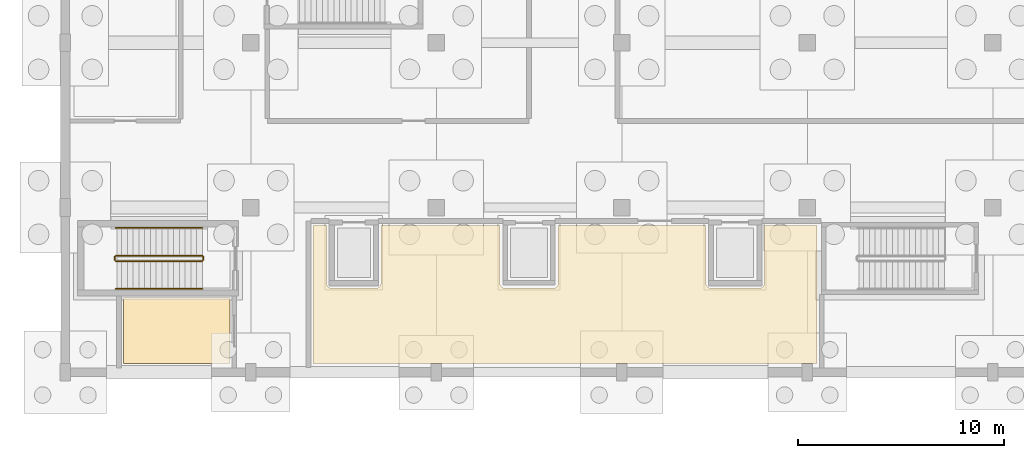
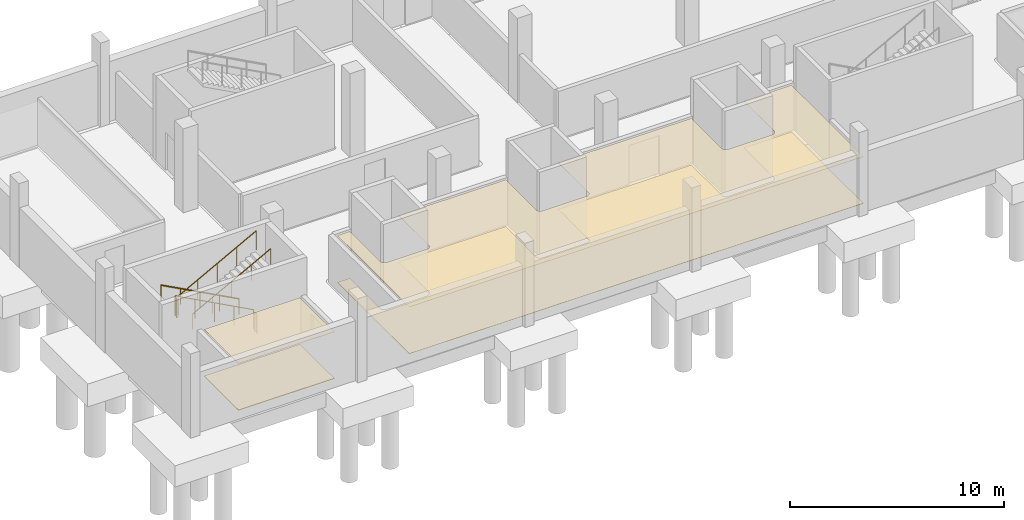
# One storey, part 6 of 10: 6 railings, 4 coverings.
"""IFC4 building model written with IfcOpenShell, lengths in metres."""

from ifc_helpers import new_model, si_unit, direction, frame, origin, origin_2d, place, context, subcontext, project, spatial, polyline, circle, outline, extrude, material, layer, layer_set, type_object, element, save


model = new_model("IFC4")

# Units and contexts
model_context = context("Model", 3, precision=1e-05, world=origin(), true_north=direction((0.0, 1.0)))
body_context = subcontext(model_context, "Body", "Model", "MODEL_VIEW")
ifc_project = project(units=[si_unit("LENGTHUNIT", "METRE"), si_unit("AREAUNIT", "SQUARE_METRE"), si_unit("VOLUMEUNIT", "CUBIC_METRE"), si_unit("PLANEANGLEUNIT", "RADIAN"), si_unit("MASSUNIT", "GRAM", prefix="KILO")], contexts=[model_context])

# Site, building, storey
site_placement = place(None, origin())
site = spatial("IfcSite", under=ifc_project, at=site_placement, CompositionType="ELEMENT")
building_placement = place(site_placement, origin())
building = spatial("IfcBuilding", under=site, at=building_placement, Name="Serraforn Aerial Cableway Station", CompositionType="ELEMENT")
storey_placement = place(building_placement, frame((0.0, 0.0, -4.800048828125)))
storey = spatial("IfcBuildingStorey", under=building, at=storey_placement, Name="B1", CompositionType="ELEMENT", Elevation=-4.800048828125)

# Coverings
ifc_material_1 = material(Name="Fire-protective gypsum board ceiling")
ifc_layer_1 = layer(ifc_material_1, 0.02001953125)
ifc_layer_set_1 = layer_set([ifc_layer_1], Name="Fire-protective gypsum board ceiling")
covering_type_1 = type_object("IfcCoveringType", Name="COV-CLG-GYP", PredefinedType="CEILING", material=ifc_layer_set_1)
covering_1_placement = place(storey_placement, frame((0.0, 0.0, 2.66015625)))
element("IfcCovering", 1, at=covering_1_placement, inside=storey, type_object=covering_type_1, Name="Suspended Ceiling B1-06", PredefinedType="CEILING", context=body_context, shape_type="SweptSolid", body=[
    extrude(outline(polyline([(30.419921875, 18.419921875), (30.419921875, 21.6298828125), (35.580078125, 21.6298828125), (35.580078125, 18.419921875), (30.419921875, 18.419921875)])), origin(), (0.0, 0.0, 1.0), 0.019775390625),
])
covering_2_placement = place(storey_placement, frame((0.0, 0.0, 2.66015625)))
element("IfcCovering", 2, at=covering_2_placement, inside=storey, type_object=covering_type_1, Name="Suspended Ceiling B1-03", PredefinedType="CEILING", context=body_context, shape_type="SweptSolid", body=[
    extrude(outline(polyline([(39.6201171875, 18.419921875), (39.6201171875, 25.1298828125), (40.2900390625, 25.1298828125), (40.2900390625, 22.31005859375), (40.291015625, 22.288330078125), (40.294189453125, 22.26708984375), (40.299560546875, 22.24609375), (40.306640625, 22.225830078125), (40.31591796875, 22.206298828125), (40.3271484375, 22.187744140625), (40.33984375, 22.17041015625), (40.3544921875, 22.154296875), (40.370361328125, 22.139892578125), (40.3876953125, 22.127197265625), (40.40625, 22.115966796875), (40.42578125, 22.106689453125), (40.446044921875, 22.099609375), (40.467041015625, 22.09423828125), (40.48828125, 22.091064453125), (40.510009765625, 22.090087890625), (42.68994140625, 22.090087890625), (42.711669921875, 22.091064453125), (42.73291015625, 22.09423828125), (42.75390625, 22.099609375), (42.774169921875, 22.106689453125), (42.793701171875, 22.115966796875), (42.812255859375, 22.127197265625), (42.82958984375, 22.139892578125), (42.845703125, 22.154296875), (42.860107421875, 22.17041015625), (42.872802734375, 22.187744140625), (42.884033203125, 22.206298828125), (42.893310546875, 22.225830078125), (42.900390625, 22.24609375), (42.90576171875, 22.26708984375), (42.908935546875, 22.288330078125), (42.909912109375, 22.31005859375), (42.909912109375, 25.1298828125), (48.68994140625, 25.1298828125), (48.68994140625, 22.31005859375), (48.691162109375, 22.288330078125), (48.694091796875, 22.26708984375), (48.699462890625, 22.24609375), (48.706787109375, 22.225830078125), (48.716064453125, 22.206298828125), (48.72705078125, 22.187744140625), (48.739990234375, 22.17041015625), (48.75439453125, 22.154296875), (48.7705078125, 22.139892578125), (48.787841796875, 22.127197265625), (48.806396484375, 22.115966796875), (48.82568359375, 22.106689453125), (48.84619140625, 22.099609375), (48.8671875, 22.09423828125), (48.888427734375, 22.091064453125), (48.909912109375, 22.090087890625), (51.2900390625, 22.090087890625), (51.3115234375, 22.091064453125), (51.3330078125, 22.09423828125), (51.35400390625, 22.099609375), (51.374267578125, 22.106689453125), (51.393798828125, 22.115966796875), (51.412109375, 22.127197265625), (51.4296875, 22.139892578125), (51.445556640625, 22.154296875), (51.460205078125, 22.17041015625), (51.472900390625, 22.187744140625), (51.48388671875, 22.206298828125), (51.493408203125, 22.225830078125), (51.50048828125, 22.24609375), (51.505859375, 22.26708984375), (51.5087890625, 22.288330078125), (51.510009765625, 22.31005859375), (51.510009765625, 25.1298828125), (58.68994140625, 25.1298828125), (58.68994140625, 22.31005859375), (58.691162109375, 22.288330078125), (58.694091796875, 22.26708984375), (58.699462890625, 22.24609375), (58.706787109375, 22.225830078125), (58.716064453125, 22.206298828125), (58.72705078125, 22.187744140625), (58.739990234375, 22.17041015625), (58.75439453125, 22.154296875), (58.7705078125, 22.139892578125), (58.787841796875, 22.127197265625), (58.806396484375, 22.115966796875), (58.82568359375, 22.106689453125), (58.84619140625, 22.099609375), (58.8671875, 22.09423828125), (58.888427734375, 22.091064453125), (58.909912109375, 22.090087890625), (61.2900390625, 22.090087890625), (61.3115234375, 22.091064453125), (61.3330078125, 22.09423828125), (61.35400390625, 22.099609375), (61.374267578125, 22.106689453125), (61.393798828125, 22.115966796875), (61.412109375, 22.127197265625), (61.4296875, 22.139892578125), (61.445556640625, 22.154296875), (61.460205078125, 22.17041015625), (61.472900390625, 22.187744140625), (61.48388671875, 22.206298828125), (61.493408203125, 22.225830078125), (61.50048828125, 22.24609375), (61.505859375, 22.26708984375), (61.5087890625, 22.288330078125), (61.510009765625, 22.31005859375), (61.510009765625, 25.1298828125), (64.080078125, 25.1298828125), (64.080078125, 18.419921875), (39.6201171875, 18.419921875)])), origin(), (0.0, 0.0, 1.0), 0.019775390625),
])
ifc_material_2 = material(Name="Heavy-duty non-slip quartz epoxy floor")
ifc_layer_2 = layer(ifc_material_2, 0.014892578125)
ifc_layer_set_2 = layer_set([ifc_layer_2], Name="Heavy-duty non-slip quartz epoxy floor")
covering_type_2 = type_object("IfcCoveringType", Name="COV-FLR-EPOX", PredefinedType="FLOORING", material=ifc_layer_set_2)
covering_3_placement = place(storey_placement, origin())
element("IfcCovering", 3, at=covering_3_placement, inside=storey, type_object=covering_type_2, Name="Flooring B1-03", PredefinedType="FLOORING", context=body_context, shape_type="SweptSolid", body=[
    extrude(outline(polyline([(39.6201171875, 18.419921875), (39.6201171875, 25.1298828125), (40.2900390625, 25.1298828125), (40.2900390625, 22.31005859375), (40.291015625, 22.288330078125), (40.294189453125, 22.26708984375), (40.299560546875, 22.24609375), (40.306640625, 22.225830078125), (40.31591796875, 22.206298828125), (40.3271484375, 22.187744140625), (40.33984375, 22.17041015625), (40.3544921875, 22.154296875), (40.370361328125, 22.139892578125), (40.3876953125, 22.127197265625), (40.40625, 22.115966796875), (40.42578125, 22.106689453125), (40.446044921875, 22.099609375), (40.467041015625, 22.09423828125), (40.48828125, 22.091064453125), (40.510009765625, 22.090087890625), (42.68994140625, 22.090087890625), (42.711669921875, 22.091064453125), (42.73291015625, 22.09423828125), (42.75390625, 22.099609375), (42.774169921875, 22.106689453125), (42.793701171875, 22.115966796875), (42.812255859375, 22.127197265625), (42.82958984375, 22.139892578125), (42.845703125, 22.154296875), (42.860107421875, 22.17041015625), (42.872802734375, 22.187744140625), (42.884033203125, 22.206298828125), (42.893310546875, 22.225830078125), (42.900390625, 22.24609375), (42.90576171875, 22.26708984375), (42.908935546875, 22.288330078125), (42.909912109375, 22.31005859375), (42.909912109375, 25.1298828125), (48.68994140625, 25.1298828125), (48.68994140625, 22.31005859375), (48.691162109375, 22.288330078125), (48.694091796875, 22.26708984375), (48.699462890625, 22.24609375), (48.706787109375, 22.225830078125), (48.716064453125, 22.206298828125), (48.72705078125, 22.187744140625), (48.739990234375, 22.17041015625), (48.75439453125, 22.154296875), (48.7705078125, 22.139892578125), (48.787841796875, 22.127197265625), (48.806396484375, 22.115966796875), (48.82568359375, 22.106689453125), (48.84619140625, 22.099609375), (48.8671875, 22.09423828125), (48.888427734375, 22.091064453125), (48.909912109375, 22.090087890625), (51.2900390625, 22.090087890625), (51.3115234375, 22.091064453125), (51.3330078125, 22.09423828125), (51.35400390625, 22.099609375), (51.374267578125, 22.106689453125), (51.393798828125, 22.115966796875), (51.412109375, 22.127197265625), (51.4296875, 22.139892578125), (51.445556640625, 22.154296875), (51.460205078125, 22.17041015625), (51.472900390625, 22.187744140625), (51.48388671875, 22.206298828125), (51.493408203125, 22.225830078125), (51.50048828125, 22.24609375), (51.505859375, 22.26708984375), (51.5087890625, 22.288330078125), (51.510009765625, 22.31005859375), (51.510009765625, 25.1298828125), (58.68994140625, 25.1298828125), (58.68994140625, 22.31005859375), (58.691162109375, 22.288330078125), (58.694091796875, 22.26708984375), (58.699462890625, 22.24609375), (58.706787109375, 22.225830078125), (58.716064453125, 22.206298828125), (58.72705078125, 22.187744140625), (58.739990234375, 22.17041015625), (58.75439453125, 22.154296875), (58.7705078125, 22.139892578125), (58.787841796875, 22.127197265625), (58.806396484375, 22.115966796875), (58.82568359375, 22.106689453125), (58.84619140625, 22.099609375), (58.8671875, 22.09423828125), (58.888427734375, 22.091064453125), (58.909912109375, 22.090087890625), (61.2900390625, 22.090087890625), (61.3115234375, 22.091064453125), (61.3330078125, 22.09423828125), (61.35400390625, 22.099609375), (61.374267578125, 22.106689453125), (61.393798828125, 22.115966796875), (61.412109375, 22.127197265625), (61.4296875, 22.139892578125), (61.445556640625, 22.154296875), (61.460205078125, 22.17041015625), (61.472900390625, 22.187744140625), (61.48388671875, 22.206298828125), (61.493408203125, 22.225830078125), (61.50048828125, 22.24609375), (61.505859375, 22.26708984375), (61.5087890625, 22.288330078125), (61.510009765625, 22.31005859375), (61.510009765625, 25.1298828125), (64.080078125, 25.1298828125), (64.080078125, 18.419921875), (39.6201171875, 18.419921875)])), origin(), (0.0, 0.0, 1.0), 0.01513671875),
])
ifc_material_3 = material(Name="Honed Montjuic limestone flooring", Category="masonry")
ifc_layer_3 = layer(ifc_material_3, 0.030029296875)
ifc_layer_set_3 = layer_set([ifc_layer_3], Name="Honed Montjuic limestone flooring")
covering_type_3 = type_object("IfcCoveringType", Name="COV-FLR-STN", PredefinedType="FLOORING", material=ifc_layer_set_3)
covering_4_placement = place(storey_placement, origin())
element("IfcCovering", 4, at=covering_4_placement, inside=storey, type_object=covering_type_3, Name="Flooring B1-06", PredefinedType="FLOORING", context=body_context, shape_type="SweptSolid", body=[
    extrude(outline(polyline([(30.419921875, 18.419921875), (30.419921875, 21.6298828125), (35.580078125, 21.6298828125), (35.580078125, 18.419921875), (30.419921875, 18.419921875)])), origin(), (0.0, 0.0, 1.0), 0.030029296875),
])

# Railings
ifc_material_4 = material(Name="Patinated bronze stair guardrail")
ifc_layer_4 = layer(ifc_material_4, 0.050048828125)
ifc_layer_set_4 = layer_set([ifc_layer_4], Name="Patinated bronze stair guardrail")
railing_type_1 = type_object("IfcRailingType", Name="RL-STR-GRD", PredefinedType="GUARDRAIL", material=ifc_layer_set_4)
railing_1_placement = place(storey_placement, frame((34.25, 23.659912109375, 0.150146484375)))
element("IfcRailing", 5, at=railing_1_placement, inside=storey, type_object=railing_type_1, Name="B1 ST-03 stair guard 1", PredefinedType="GUARDRAIL", context=body_context, shape_type="SweptSolid", body=[
    extrude(circle(Radius=0.02392578125, at=origin_2d()), frame((0.0, 0.0, 1.076171875), z_axis=(-0.881477684796, 0.0, 0.472225678258), x_axis=(0.0, -1.0, 0.0)), (0.0, 0.0, 1.0), 4.7646484375),
    extrude(circle(Radius=0.02099609375, at=origin_2d()), origin(), (0.0, 0.0, 1.0), 1.052001953125),
    extrude(circle(Radius=0.02099609375, at=origin_2d()), frame((-1.050048828125, 0.0, 0.5625)), (0.0, 0.0, 1.0), 1.052001953125),
    extrude(circle(Radius=0.02099609375, at=origin_2d()), frame((-2.10009765625, 0.0, 1.125)), (0.0, 0.0, 1.0), 1.052001953125),
    extrude(circle(Radius=0.02099609375, at=origin_2d()), frame((-3.14990234375, 0.0, 1.6875)), (0.0, 0.0, 1.0), 1.052001953125),
    extrude(circle(Radius=0.02099609375, at=origin_2d()), frame((-4.199951171875, 0.0, 2.25)), (0.0, 0.0, 1.0), 1.052001953125),
])
railing_2_placement = place(storey_placement, frame((30.0, 23.610107421875, 2.400146484375)))
element("IfcRailing", 6, at=railing_2_placement, inside=storey, type_object=railing_type_1, Name="B1 ST-03 stair guard 2", PredefinedType="GUARDRAIL", context=body_context, shape_type="SweptSolid", body=[
    extrude(circle(Radius=0.02392578125, at=origin_2d()), frame((0.0, 0.0, 1.076171875), z_axis=(0.0, -1.0, 0.0), x_axis=(1.0, 0.0, 0.0)), (0.0, 0.0, 1.0), 0.16015625),
    extrude(circle(Radius=0.02099609375, at=origin_2d()), origin(), (0.0, 0.0, 1.0), 1.052001953125),
    extrude(circle(Radius=0.02099609375, at=origin_2d()), frame((0.0, -0.16015625, 0.0)), (0.0, 0.0, 1.0), 1.052001953125),
])
railing_3_placement = place(storey_placement, frame((30.050048828125, 23.39990234375, 2.550048828125)))
element("IfcRailing", 7, at=railing_3_placement, inside=storey, type_object=railing_type_1, Name="B1 ST-03 stair guard 3", PredefinedType="GUARDRAIL", context=body_context, shape_type="SweptSolid", body=[
    extrude(circle(Radius=0.02392578125, at=origin_2d()), frame((0.0, 0.0, 1.076171875), z_axis=(0.881477684796, 0.0, 0.472225678258), x_axis=(0.0, 1.0, 0.0)), (0.0, 0.0, 1.0), 4.7646484375),
    extrude(circle(Radius=0.02099609375, at=origin_2d()), origin(), (0.0, 0.0, 1.0), 1.052001953125),
    extrude(circle(Radius=0.02099609375, at=origin_2d()), frame((1.050048828125, 0.0, 0.5625)), (0.0, 0.0, 1.0), 1.052001953125),
    extrude(circle(Radius=0.02099609375, at=origin_2d()), frame((2.10009765625, 0.0, 1.125)), (0.0, 0.0, 1.0), 1.052001953125),
    extrude(circle(Radius=0.02099609375, at=origin_2d()), frame((3.14990234375, 0.0, 1.6875)), (0.0, 0.0, 1.0), 1.052001953125),
    extrude(circle(Radius=0.02099609375, at=origin_2d()), frame((4.199951171875, 0.0, 2.25)), (0.0, 0.0, 1.0), 1.052001953125),
])
railing_4_placement = place(storey_placement, frame((34.300048828125, 23.610107421875, 0.0)))
element("IfcRailing", 8, at=railing_4_placement, inside=storey, type_object=railing_type_1, Name="B1 ST-03 stair guard 4", PredefinedType="GUARDRAIL", context=body_context, shape_type="SweptSolid", body=[
    extrude(circle(Radius=0.02392578125, at=origin_2d()), frame((0.0, 0.0, 1.076171875), z_axis=(0.0, -1.0, 0.0), x_axis=(1.0, 0.0, 0.0)), (0.0, 0.0, 1.0), 0.16015625),
    extrude(circle(Radius=0.02099609375, at=origin_2d()), origin(), (0.0, 0.0, 1.0), 1.052001953125),
    extrude(circle(Radius=0.02099609375, at=origin_2d()), frame((0.0, -0.16015625, 0.0)), (0.0, 0.0, 1.0), 1.052001953125),
])
ifc_material_5 = material(Name="Brushed bronze tubular handrail")
ifc_layer_5 = layer(ifc_material_5, 0.048095703125)
ifc_layer_set_5 = layer_set([ifc_layer_5], Name="Brushed bronze tubular handrail")
railing_type_2 = type_object("IfcRailingType", Name="RL-STR-HDR", PredefinedType="HANDRAIL", material=ifc_layer_set_5)
railing_5_placement = place(storey_placement, frame((34.25, 25.010009765625, 0.150146484375)))
element("IfcRailing", 9, at=railing_5_placement, inside=storey, type_object=railing_type_2, Name="B1 ST-03 stair handrail 1", PredefinedType="HANDRAIL", context=body_context, shape_type="SweptSolid", body=[
    extrude(circle(Radius=0.02392578125, at=origin_2d()), frame((0.0, 0.0, 0.8759765625), z_axis=(-0.881477684796, 0.0, 0.472225678258), x_axis=(0.0, -1.0, 0.0)), (0.0, 0.0, 1.0), 4.7646484375),
    extrude(circle(Radius=0.02099609375, at=origin_2d()), origin(), (0.0, 0.0, 1.0), 0.851806640625),
    extrude(circle(Radius=0.02099609375, at=origin_2d()), frame((-1.050048828125, 0.0, 0.5625)), (0.0, 0.0, 1.0), 0.851806640625),
    extrude(circle(Radius=0.02099609375, at=origin_2d()), frame((-2.10009765625, 0.0, 1.125)), (0.0, 0.0, 1.0), 0.851806640625),
    extrude(circle(Radius=0.02099609375, at=origin_2d()), frame((-3.14990234375, 0.0, 1.6875)), (0.0, 0.0, 1.0), 0.851806640625),
    extrude(circle(Radius=0.02099609375, at=origin_2d()), frame((-4.199951171875, 0.0, 2.25)), (0.0, 0.0, 1.0), 0.851806640625),
])
railing_6_placement = place(storey_placement, frame((30.050048828125, 22.050048828125, 2.550048828125)))
element("IfcRailing", 10, at=railing_6_placement, inside=storey, type_object=railing_type_2, Name="B1 ST-03 stair handrail 2", PredefinedType="HANDRAIL", context=body_context, shape_type="SweptSolid", body=[
    extrude(circle(Radius=0.02392578125, at=origin_2d()), frame((0.0, 0.0, 0.8759765625), z_axis=(0.881477684796, 0.0, 0.472225678258), x_axis=(0.0, 1.0, 0.0)), (0.0, 0.0, 1.0), 4.7646484375),
    extrude(circle(Radius=0.02099609375, at=origin_2d()), origin(), (0.0, 0.0, 1.0), 0.851806640625),
    extrude(circle(Radius=0.02099609375, at=origin_2d()), frame((1.050048828125, 0.0, 0.5625)), (0.0, 0.0, 1.0), 0.851806640625),
    extrude(circle(Radius=0.02099609375, at=origin_2d()), frame((2.10009765625, 0.0, 1.125)), (0.0, 0.0, 1.0), 0.851806640625),
    extrude(circle(Radius=0.02099609375, at=origin_2d()), frame((3.14990234375, 0.0, 1.6875)), (0.0, 0.0, 1.0), 0.851806640625),
    extrude(circle(Radius=0.02099609375, at=origin_2d()), frame((4.199951171875, 0.0, 2.25)), (0.0, 0.0, 1.0), 0.851806640625),
])

save(model, "model.ifc")
